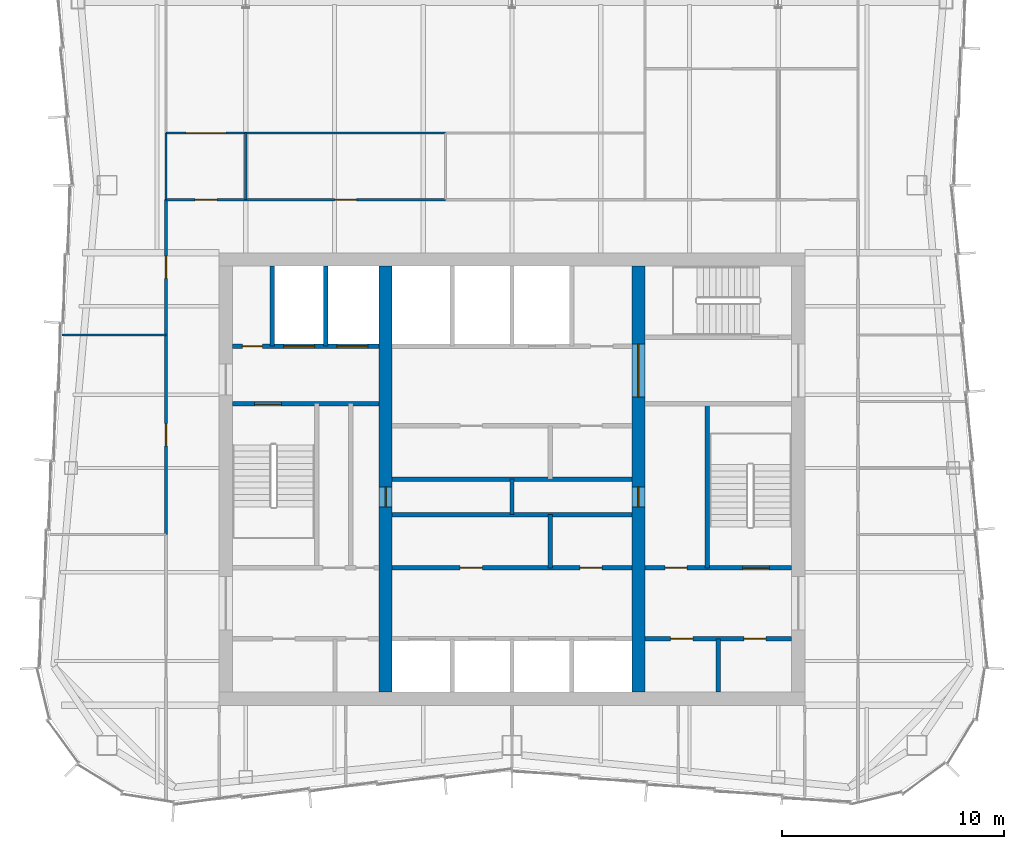
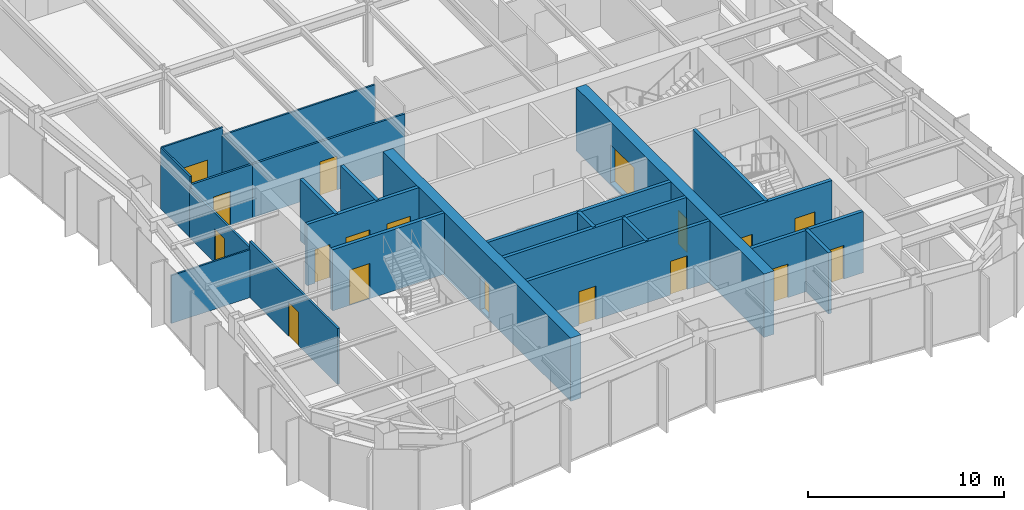
# One storey, part 10 of 13: 24 walls, 18 doors, 18 openings.
"""IFC4 building model written with IfcOpenShell, lengths in metres."""

from ifc_helpers import new_model, si_unit, direction, frame, frame_2d, origin, place, context, subcontext, project, spatial, rectangle, extrude, material, layer, layer_set, type_object, element, fill, save


model = new_model("IFC4")

# Units and contexts
model_context = context("Model", 3, precision=1e-05, world=origin(), true_north=direction((0.0, 1.0)))
body_context = subcontext(model_context, "Body", "Model", "MODEL_VIEW")
ifc_project = project(units=[si_unit("LENGTHUNIT", "METRE"), si_unit("AREAUNIT", "SQUARE_METRE"), si_unit("VOLUMEUNIT", "CUBIC_METRE"), si_unit("PLANEANGLEUNIT", "RADIAN"), si_unit("MASSUNIT", "GRAM", prefix="KILO")], contexts=[model_context])

# Site, building, storey
site_placement = place(None, origin())
site = spatial("IfcSite", under=ifc_project, at=site_placement, CompositionType="ELEMENT")
building_placement = place(site_placement, origin())
building = spatial("IfcBuilding", under=site, at=building_placement, Name="Verdant Reach Tower", CompositionType="ELEMENT")
storey_placement = place(building_placement, frame((0.0, 0.0, 330.0)))
storey = spatial("IfcBuildingStorey", under=building, at=storey_placement, Name="L76", CompositionType="ELEMENT", Elevation=330.0)

# Wall, openings, doors
ifc_material_1 = material(Name="Gypsum board on steel studs", Category="steel")
ifc_layer_1 = layer(ifc_material_1, 0.199951171875)
ifc_layer_set_1 = layer_set([ifc_layer_1], Name="CO-WALL-ROOM")
wall_type_1 = type_object("IfcWallType", Name="CO-WALL-ROOM", PredefinedType="PARTITIONING", material=ifc_layer_set_1)
wall_1_placement = place(storey_placement, frame((6.0, 20.800048828125, 0.0), z_axis=(0.0, 0.0, 1.0), x_axis=(1.0, 0.0, 0.0)))
wall_1 = element("IfcWall", 1, at=wall_1_placement, inside=storey, type_object=wall_type_1, Name="Core partition, L76", PredefinedType="PARTITIONING", context=body_context, shape_type="SweptSolid", body=[
    extrude(rectangle(XDim=6.60009765625, YDim=0.199951171875, at=frame_2d((3.300048828125, 0.0))), origin(), (0.0, 0.0, 1.0), 3.820068359375),
])
opening_1_placement = place(wall_1_placement, frame((1.14990234375, 0.0, 0.0)))
opening_1 = element("IfcOpeningElement", 2, at=opening_1_placement, cuts=wall_1, Name="Opening CD", PredefinedType="OPENING", context=body_context, shape_type="SweptSolid", body=[
    extrude(rectangle(XDim=1.0, YDim=2.10009765625, at=frame_2d((0.5, 1.050048828125))), frame((0.0, 0.10986328125, 0.0), z_axis=(0.0, -1.0, 0.0), x_axis=(1.0, 0.0, 0.0)), (0.0, 0.0, 1.0), 0.219970703125),
])
opening_2_placement = place(wall_1_placement, frame((4.449951171875, 0.0, 0.0)))
opening_2 = element("IfcOpeningElement", 3, at=opening_2_placement, cuts=wall_1, Name="Opening CD", PredefinedType="OPENING", context=body_context, shape_type="SweptSolid", body=[
    extrude(rectangle(XDim=1.0, YDim=2.10009765625, at=frame_2d((0.5, 1.050048828125))), frame((0.0, 0.10986328125, 0.0), z_axis=(0.0, -1.0, 0.0), x_axis=(1.0, 0.0, 0.0)), (0.0, 0.0, 1.0), 0.219970703125),
])
ifc_material_2 = material(Name="Timber", Category="wood")
door_type_1 = type_object("IfcDoorType", Name="CO-DOOR-ROOM", OperationType="NOTDEFINED", PredefinedType="DOOR", material=ifc_material_2)
door_1_placement = place(opening_1_placement, origin())
door_1 = element("IfcDoor", 4, at=door_1_placement, inside=storey, type_object=door_type_1, Name="Core room door, L76", OperationType="SINGLE_SWING_LEFT", OverallHeight=2.10009765625, OverallWidth=1.0, PredefinedType="DOOR", context=body_context, shape_type="SweptSolid", body=[
    extrude(rectangle(XDim=1.0, YDim=2.10009765625, at=frame_2d((0.5, 1.050048828125))), frame((0.0, 0.02490234375, 0.0), z_axis=(0.0, -1.0, 0.0), x_axis=(1.0, 0.0, 0.0)), (0.0, 0.0, 1.0), 0.050048828125),
])
fill(opening_1, door_1)
door_2_placement = place(opening_2_placement, origin())
door_2 = element("IfcDoor", 5, at=door_2_placement, inside=storey, type_object=door_type_1, Name="Core room door, L76", OperationType="SINGLE_SWING_LEFT", OverallHeight=2.10009765625, OverallWidth=1.0, PredefinedType="DOOR", context=body_context, shape_type="SweptSolid", body=[
    extrude(rectangle(XDim=1.0, YDim=2.10009765625, at=frame_2d((0.5, 1.050048828125))), frame((0.0, 0.02490234375, 0.0), z_axis=(0.0, -1.0, 0.0), x_axis=(1.0, 0.0, 0.0)), (0.0, 0.0, 1.0), 0.050048828125),
])
fill(opening_2, door_2)

wall_2_placement = place(storey_placement, frame((-5.39990234375, 24.0, 0.0), z_axis=(0.0, 0.0, 1.0), x_axis=(1.0, 0.0, 0.0)))
wall_2 = element("IfcWall", 6, at=wall_2_placement, inside=storey, type_object=wall_type_1, Name="Core partition, L76", PredefinedType="PARTITIONING", context=body_context, shape_type="SweptSolid", body=[
    extrude(rectangle(XDim=10.7998046875, YDim=0.199951171875, at=frame_2d((5.39990234375, 0.0))), origin(), (0.0, 0.0, 1.0), 3.820068359375),
])
opening_3_placement = place(wall_2_placement, frame((3.06396484375, 0.0, 0.0)))
opening_3 = element("IfcOpeningElement", 7, at=opening_3_placement, cuts=wall_2, Name="Opening CD", PredefinedType="OPENING", context=body_context, shape_type="SweptSolid", body=[
    extrude(rectangle(XDim=1.0, YDim=2.10009765625, at=frame_2d((0.5, 1.050048828125))), frame((0.0, 0.10986328125, 0.0), z_axis=(0.0, -1.0, 0.0), x_axis=(1.0, 0.0, 0.0)), (0.0, 0.0, 1.0), 0.219970703125),
])
opening_4_placement = place(wall_2_placement, frame((8.464111328125, 0.0, 0.0)))
opening_4 = element("IfcOpeningElement", 8, at=opening_4_placement, cuts=wall_2, Name="Opening CD", PredefinedType="OPENING", context=body_context, shape_type="SweptSolid", body=[
    extrude(rectangle(XDim=1.0, YDim=2.10009765625, at=frame_2d((0.5, 1.050048828125))), frame((0.0, 0.10986328125, 0.0), z_axis=(0.0, -1.0, 0.0), x_axis=(1.0, 0.0, 0.0)), (0.0, 0.0, 1.0), 0.219970703125),
])
door_3_placement = place(opening_3_placement, origin())
door_3 = element("IfcDoor", 9, at=door_3_placement, inside=storey, type_object=door_type_1, Name="Core room door, L76", OperationType="SINGLE_SWING_RIGHT", OverallHeight=2.10009765625, OverallWidth=1.0, PredefinedType="DOOR", context=body_context, shape_type="SweptSolid", body=[
    extrude(rectangle(XDim=1.0, YDim=2.10009765625, at=frame_2d((0.5, 1.050048828125))), frame((0.0, 0.02490234375, 0.0), z_axis=(0.0, -1.0, 0.0), x_axis=(1.0, 0.0, 0.0)), (0.0, 0.0, 1.0), 0.050048828125),
])
fill(opening_3, door_3)
door_4_placement = place(opening_4_placement, origin())
door_4 = element("IfcDoor", 10, at=door_4_placement, inside=storey, type_object=door_type_1, Name="Core room door, L76", OperationType="SINGLE_SWING_LEFT", OverallHeight=2.10009765625, OverallWidth=1.0, PredefinedType="DOOR", context=body_context, shape_type="SweptSolid", body=[
    extrude(rectangle(XDim=1.0, YDim=2.10009765625, at=frame_2d((0.5, 1.050048828125))), frame((0.0, 0.02490234375, 0.0), z_axis=(0.0, -1.0, 0.0), x_axis=(1.0, 0.0, 0.0)), (0.0, 0.0, 1.0), 0.050048828125),
])
fill(opening_4, door_4)

# Walls
for number, where, z_axis, x_axis, name in (
    (11, (-5.39990234375, 26.39990234375, 0.0), (0.0, 0.0, 1.0), (1.0, 0.0, 0.0), "Core partition, L76"),
    (12, (-5.39990234375, 28.0, 0.0), (0.0, 0.0, 1.0), (1.0, 0.0, 0.0), "Core partition, L76"),
):
    element("IfcWall", number, at=place(storey_placement, frame(where, z_axis=z_axis, x_axis=x_axis)), inside=storey, type_object=wall_type_1, Name=name, PredefinedType="PARTITIONING", context=body_context, shape_type="SweptSolid", body=[
        extrude(rectangle(XDim=10.7998046875, YDim=0.199951171875, at=frame_2d((5.39990234375, 0.0))), origin(), (0.0, 0.0, 1.0), 3.820068359375),
    ])
wall_3_placement = place(storey_placement, frame((0.0, 26.39990234375, 0.0), z_axis=(0.0, 0.0, 1.0), x_axis=(0.0, 1.0, 0.0)))
element("IfcWall", 13, at=wall_3_placement, inside=storey, type_object=wall_type_1, Name="Core partition, L76", PredefinedType="PARTITIONING", context=body_context, shape_type="SweptSolid", body=[
    extrude(rectangle(XDim=1.60009765625, YDim=0.199951171875, at=frame_2d((0.800048828125, 0.0))), origin(), (0.0, 0.0, 1.0), 3.820068359375),
])
wall_4_placement = place(storey_placement, frame((1.72802734375, 24.0, 0.0), z_axis=(0.0, 0.0, 1.0), x_axis=(0.0, 1.0, 0.0)))
element("IfcWall", 14, at=wall_4_placement, inside=storey, type_object=wall_type_1, Name="Core partition, L76", PredefinedType="PARTITIONING", context=body_context, shape_type="SweptSolid", body=[
    extrude(rectangle(XDim=2.39990234375, YDim=0.199951171875, at=frame_2d((1.199951171875, 0.0))), origin(), (0.0, 0.0, 1.0), 3.820068359375),
])
wall_5_placement = place(storey_placement, frame((9.300048828125, 18.39990234375, 0.0), z_axis=(0.0, 0.0, 1.0), x_axis=(0.0, 1.0, 0.0)))
element("IfcWall", 15, at=wall_5_placement, inside=storey, type_object=wall_type_1, Name="Core partition, L76", PredefinedType="PARTITIONING", context=body_context, shape_type="SweptSolid", body=[
    extrude(rectangle(XDim=2.400146484375, YDim=0.199951171875, at=frame_2d((1.2001953125, 0.0))), origin(), (0.0, 0.0, 1.0), 3.820068359375),
])

# Wall, openings, doors
ifc_material_3 = material(Name="Concrete C40/50", Category="concrete")
ifc_layer_2 = layer(ifc_material_3, 0.199951171875)
ifc_layer_set_2 = layer_set([ifc_layer_2], Name="CO-WALL-SHAFT")
wall_type_2 = type_object("IfcWallType", Name="CO-WALL-SHAFT", PredefinedType="PARTITIONING", material=ifc_layer_set_2)
wall_6_placement = place(storey_placement, frame((-12.60009765625, 34.0, 0.0), z_axis=(0.0, 0.0, 1.0), x_axis=(1.0, 0.0, 0.0)))
wall_6 = element("IfcWall", 16, at=wall_6_placement, inside=storey, type_object=wall_type_2, Name="Lift shaft wall, L76", PredefinedType="PARTITIONING", context=body_context, shape_type="SweptSolid", body=[
    extrude(rectangle(XDim=6.60009765625, YDim=0.199951171875, at=frame_2d((3.300048828125, 0.0))), origin(), (0.0, 0.0, 1.0), 3.820068359375),
])
opening_5_placement = place(wall_6_placement, frame((4.699951171875, 0.0, 0.0)))
opening_5 = element("IfcOpeningElement", 17, at=opening_5_placement, cuts=wall_6, Name="Opening LD-F1", PredefinedType="OPENING", context=body_context, shape_type="SweptSolid", body=[
    extrude(rectangle(XDim=1.39990234375, YDim=2.199951171875, at=frame_2d((0.699951171875, 1.10009765625))), frame((0.0, 0.10986328125, 0.0), z_axis=(0.0, -1.0, 0.0), x_axis=(1.0, 0.0, 0.0)), (0.0, 0.0, 1.0), 0.219970703125),
])
opening_6_placement = place(wall_6_placement, frame((2.300048828125, 0.0, 0.0)))
opening_6 = element("IfcOpeningElement", 18, at=opening_6_placement, cuts=wall_6, Name="Opening LD-F2", PredefinedType="OPENING", context=body_context, shape_type="SweptSolid", body=[
    extrude(rectangle(XDim=1.39990234375, YDim=2.199951171875, at=frame_2d((0.699951171875, 1.10009765625))), frame((0.0, 0.10986328125, 0.0), z_axis=(0.0, -1.0, 0.0), x_axis=(1.0, 0.0, 0.0)), (0.0, 0.0, 1.0), 0.219970703125),
])
opening_7_placement = place(wall_6_placement, frame((0.449951171875, 0.0, 0.0)))
opening_7 = element("IfcOpeningElement", 19, at=opening_7_placement, cuts=wall_6, Name="Opening RD", PredefinedType="OPENING", context=body_context, shape_type="SweptSolid", body=[
    extrude(rectangle(XDim=0.89990234375, YDim=2.10009765625, at=frame_2d((0.449951171875, 1.050048828125))), frame((0.0, 0.10986328125, 0.0), z_axis=(0.0, -1.0, 0.0), x_axis=(1.0, 0.0, 0.0)), (0.0, 0.0, 1.0), 0.219970703125),
])
ifc_material_4 = material(Name="Stainless steel", Category="steel")
door_type_2 = type_object("IfcDoorType", Name="CO-DOOR-LANDING-FF", OperationType="SLIDING_TO_LEFT", PredefinedType="DOOR", material=ifc_material_4)
door_5_placement = place(opening_5_placement, origin())
door_5 = element("IfcDoor", 20, at=door_5_placement, inside=storey, type_object=door_type_2, Name="Landing door F1, L76", OperationType="SLIDING_TO_LEFT", OverallHeight=2.199951171875, OverallWidth=1.39990234375, PredefinedType="DOOR", context=body_context, shape_type="SweptSolid", body=[
    extrude(rectangle(XDim=1.39990234375, YDim=2.199951171875, at=frame_2d((0.699951171875, 1.10009765625))), frame((0.0, 0.02490234375, 0.0), z_axis=(0.0, -1.0, 0.0), x_axis=(1.0, 0.0, 0.0)), (0.0, 0.0, 1.0), 0.050048828125),
])
fill(opening_5, door_5)
door_6_placement = place(opening_6_placement, origin())
door_6 = element("IfcDoor", 21, at=door_6_placement, inside=storey, type_object=door_type_2, Name="Landing door F2, L76", OperationType="SLIDING_TO_LEFT", OverallHeight=2.199951171875, OverallWidth=1.39990234375, PredefinedType="DOOR", context=body_context, shape_type="SweptSolid", body=[
    extrude(rectangle(XDim=1.39990234375, YDim=2.199951171875, at=frame_2d((0.699951171875, 1.10009765625))), frame((0.0, 0.02490234375, 0.0), z_axis=(0.0, -1.0, 0.0), x_axis=(1.0, 0.0, 0.0)), (0.0, 0.0, 1.0), 0.050048828125),
])
fill(opening_6, door_6)
ifc_material_5 = material(Name="Steel", Category="steel")
door_type_3 = type_object("IfcDoorType", Name="CO-DOOR-RISER", OperationType="NOTDEFINED", PredefinedType="DOOR", material=ifc_material_5)
door_7_placement = place(opening_7_placement, origin())
door_7 = element("IfcDoor", 22, at=door_7_placement, inside=storey, type_object=door_type_3, Name="Core room door, L76", OperationType="SINGLE_SWING_RIGHT", OverallHeight=2.10009765625, OverallWidth=0.89990234375, PredefinedType="DOOR", context=body_context, shape_type="SweptSolid", body=[
    extrude(rectangle(XDim=0.89990234375, YDim=2.10009765625, at=frame_2d((0.449951171875, 1.050048828125))), frame((0.0, 0.02490234375, 0.0), z_axis=(0.0, -1.0, 0.0), x_axis=(1.0, 0.0, 0.0)), (0.0, 0.0, 1.0), 0.050048828125),
])
fill(opening_7, door_7)

# Walls
for number, where, z_axis, x_axis, name in (
    (23, (-10.800048828125, 34.0, 0.0), (0.0, 0.0, 1.0), (0.0, 1.0, 0.0), "Lift shaft wall, L76"),
    (24, (-8.39990234375, 34.0, 0.0), (0.0, 0.0, 1.0), (0.0, 1.0, 0.0), "Lift shaft wall, L76"),
):
    element("IfcWall", number, at=place(storey_placement, frame(where, z_axis=z_axis, x_axis=x_axis)), inside=storey, type_object=wall_type_2, Name=name, PredefinedType="PARTITIONING", context=body_context, shape_type="SweptSolid", body=[
        extrude(rectangle(XDim=3.60009765625, YDim=0.199951171875, at=frame_2d((1.800048828125, 0.0))), origin(), (0.0, 0.0, 1.0), 3.820068359375),
    ])

# Wall, openings, doors
ifc_layer_3 = layer(ifc_material_3, 0.199951171875)
ifc_layer_set_3 = layer_set([ifc_layer_3], Name="CO-WALL-STAIR")
wall_type_3 = type_object("IfcWallType", Name="CO-WALL-STAIR", PredefinedType="PARTITIONING", material=ifc_layer_set_3)
wall_7_placement = place(storey_placement, frame((6.0, 24.0, 0.0), z_axis=(0.0, 0.0, 1.0), x_axis=(1.0, 0.0, 0.0)))
wall_7 = element("IfcWall", 25, at=wall_7_placement, inside=storey, type_object=wall_type_3, Name="Stair enclosure wall, L76", PredefinedType="PARTITIONING", context=body_context, shape_type="SweptSolid", body=[
    extrude(rectangle(XDim=6.60009765625, YDim=0.199951171875, at=frame_2d((3.300048828125, 0.0))), origin(), (0.0, 0.0, 1.0), 3.820068359375),
])
opening_8_placement = place(wall_7_placement, frame((0.89990234375, 0.0, 0.0)))
opening_8 = element("IfcOpeningElement", 26, at=opening_8_placement, cuts=wall_7, Name="Opening CD", PredefinedType="OPENING", context=body_context, shape_type="SweptSolid", body=[
    extrude(rectangle(XDim=1.0, YDim=2.10009765625, at=frame_2d((0.5, 1.050048828125))), frame((0.0, 0.10986328125, 0.0), z_axis=(0.0, -1.0, 0.0), x_axis=(1.0, 0.0, 0.0)), (0.0, 0.0, 1.0), 0.219970703125),
])
opening_9_placement = place(wall_7_placement, frame((4.39990234375, 0.0, 0.0)))
opening_9 = element("IfcOpeningElement", 27, at=opening_9_placement, cuts=wall_7, Name="Opening SD", PredefinedType="OPENING", context=body_context, shape_type="SweptSolid", body=[
    extrude(rectangle(XDim=1.199951171875, YDim=2.199951171875, at=frame_2d((0.60009765625, 1.10009765625))), frame((0.0, 0.10986328125, 0.0), z_axis=(0.0, -1.0, 0.0), x_axis=(1.0, 0.0, 0.0)), (0.0, 0.0, 1.0), 0.219970703125),
])
door_8_placement = place(opening_8_placement, origin())
door_8 = element("IfcDoor", 28, at=door_8_placement, inside=storey, type_object=door_type_1, Name="Core room door, L76", OperationType="SINGLE_SWING_RIGHT", OverallHeight=2.10009765625, OverallWidth=1.0, PredefinedType="DOOR", context=body_context, shape_type="SweptSolid", body=[
    extrude(rectangle(XDim=1.0, YDim=2.10009765625, at=frame_2d((0.5, 1.050048828125))), frame((0.0, 0.02490234375, 0.0), z_axis=(0.0, -1.0, 0.0), x_axis=(1.0, 0.0, 0.0)), (0.0, 0.0, 1.0), 0.050048828125),
])
fill(opening_8, door_8)
door_type_4 = type_object("IfcDoorType", Name="CO-DOOR-STAIR", OperationType="NOTDEFINED", PredefinedType="DOOR", material=ifc_material_5)
door_9_placement = place(opening_9_placement, origin())
door_9 = element("IfcDoor", 29, at=door_9_placement, inside=storey, type_object=door_type_4, Name="Stair door, L76", OperationType="SINGLE_SWING_LEFT", OverallHeight=2.199951171875, OverallWidth=1.199951171875, PredefinedType="DOOR", context=body_context, shape_type="SweptSolid", body=[
    extrude(rectangle(XDim=1.199951171875, YDim=2.199951171875, at=frame_2d((0.60009765625, 1.10009765625))), frame((0.0, 0.02490234375, 0.0), z_axis=(0.0, -1.0, 0.0), x_axis=(1.0, 0.0, 0.0)), (0.0, 0.0, 1.0), 0.050048828125),
])
fill(opening_9, door_9)

# Wall, opening, door
wall_8_placement = place(storey_placement, frame((-12.60009765625, 31.39990234375, 0.0), z_axis=(0.0, 0.0, 1.0), x_axis=(1.0, 0.0, 0.0)))
wall_8 = element("IfcWall", 30, at=wall_8_placement, inside=storey, type_object=wall_type_3, Name="Stair enclosure wall, L76", PredefinedType="PARTITIONING", context=body_context, shape_type="SweptSolid", body=[
    extrude(rectangle(XDim=6.60009765625, YDim=0.199951171875, at=frame_2d((3.300048828125, 0.0))), origin(), (0.0, 0.0, 1.0), 3.820068359375),
])
opening_10_placement = place(wall_8_placement, frame((1.0, 0.0, 0.0)))
opening_10 = element("IfcOpeningElement", 31, at=opening_10_placement, cuts=wall_8, Name="Opening SD", PredefinedType="OPENING", context=body_context, shape_type="SweptSolid", body=[
    extrude(rectangle(XDim=1.199951171875, YDim=2.199951171875, at=frame_2d((0.60009765625, 1.10009765625))), frame((0.0, 0.10986328125, 0.0), z_axis=(0.0, -1.0, 0.0), x_axis=(1.0, 0.0, 0.0)), (0.0, 0.0, 1.0), 0.219970703125),
])
door_10_placement = place(opening_10_placement, origin())
door_10 = element("IfcDoor", 32, at=door_10_placement, inside=storey, type_object=door_type_4, Name="Stair door, L76", OperationType="SINGLE_SWING_RIGHT", OverallHeight=2.199951171875, OverallWidth=1.199951171875, PredefinedType="DOOR", context=body_context, shape_type="SweptSolid", body=[
    extrude(rectangle(XDim=1.199951171875, YDim=2.199951171875, at=frame_2d((0.60009765625, 1.10009765625))), frame((0.0, 0.02490234375, 0.0), z_axis=(0.0, -1.0, 0.0), x_axis=(1.0, 0.0, 0.0)), (0.0, 0.0, 1.0), 0.050048828125),
])
fill(opening_10, door_10)

# Walls
wall_9_placement = place(storey_placement, frame((8.800048828125, 24.0, 0.0), z_axis=(0.0, 0.0, 1.0), x_axis=(0.0, 1.0, 0.0)))
element("IfcWall", 33, at=wall_9_placement, inside=storey, type_object=wall_type_3, Name="Stair enclosure wall, L76", PredefinedType="PARTITIONING", context=body_context, shape_type="SweptSolid", body=[
    extrude(rectangle(XDim=7.39990234375, YDim=0.199951171875, at=frame_2d((3.699951171875, 0.0))), origin(), (0.0, 0.0, 1.0), 3.820068359375),
])
ifc_layer_4 = layer(ifc_material_1, 0.10009765625)
ifc_layer_set_4 = layer_set([ifc_layer_4], Name="FL-W1 Partition 100")
wall_type_4 = type_object("IfcWallType", Name="FL-W1 Partition 100", PredefinedType="PARTITIONING", material=ifc_layer_set_4)
wall_10_placement = place(storey_placement, frame((-15.60009765625, 34.5, 0.0), z_axis=(0.0, 0.0, 1.0), x_axis=(-1.0, 0.0, 0.0)))
element("IfcWall", 34, at=wall_10_placement, inside=storey, type_object=wall_type_4, Name="Partition 76.17", PredefinedType="PARTITIONING", context=body_context, shape_type="SweptSolid", body=[
    extrude(rectangle(XDim=4.6953125, YDim=0.10009765625, at=frame_2d((2.34765625, 0.0))), origin(), (0.0, 0.0, 1.0), 2.989990234375),
])
wall_11_placement = place(storey_placement, frame((-15.60009765625, 40.60009765625, 0.0), z_axis=(0.0, 0.0, 1.0), x_axis=(0.0, 1.0, 0.0)))
element("IfcWall", 35, at=wall_11_placement, inside=storey, type_object=wall_type_4, Name="Partition 76.18", PredefinedType="PARTITIONING", context=body_context, shape_type="SweptSolid", body=[
    extrude(rectangle(XDim=3.0, YDim=0.10009765625, at=frame_2d((1.5, 0.0))), origin(), (0.0, 0.0, 1.0), 3.820068359375),
])
wall_12_placement = place(storey_placement, frame((-12.0, 40.60009765625, 0.0), z_axis=(0.0, 0.0, 1.0), x_axis=(0.0, 1.0, 0.0)))
element("IfcWall", 36, at=wall_12_placement, inside=storey, type_object=wall_type_4, Name="Partition 76.31", PredefinedType="PARTITIONING", context=body_context, shape_type="SweptSolid", body=[
    extrude(rectangle(XDim=3.0, YDim=0.10009765625, at=frame_2d((1.5, 0.0))), origin(), (0.0, 0.0, 1.0), 3.340087890625),
])

# Wall, opening, door
wall_13_placement = place(storey_placement, frame((-15.60009765625, 43.60009765625, 0.0), z_axis=(0.0, 0.0, 1.0), x_axis=(1.0, 0.0, 0.0)))
wall_13 = element("IfcWall", 37, at=wall_13_placement, inside=storey, type_object=wall_type_4, Name="Partition 76.32", PredefinedType="PARTITIONING", context=body_context, shape_type="SweptSolid", body=[
    extrude(rectangle(XDim=3.60400390625, YDim=0.10009765625, at=frame_2d((1.802001953125, 0.0))), origin(), (0.0, 0.0, 1.0), 3.820068359375),
])
opening_11_placement = place(wall_13_placement, frame((0.902099609375, 0.0, 0.0)))
opening_11 = element("IfcOpeningElement", 38, at=opening_11_placement, cuts=wall_13, Name="Opening D5", PredefinedType="OPENING", context=body_context, shape_type="SweptSolid", body=[
    extrude(rectangle(XDim=1.800048828125, YDim=2.10009765625, at=frame_2d((0.89990234375, 1.050048828125))), frame((0.0, 0.06005859375, 0.0), z_axis=(0.0, -1.0, 0.0), x_axis=(1.0, 0.0, 0.0)), (0.0, 0.0, 1.0), 0.1201171875),
])
ifc_material_6 = material(Name="Painted timber door leaves", Category="wood")
door_type_5 = type_object("IfcDoorType", Name="FL-D5 Double door 1800x2100", OperationType="DOUBLE_DOOR_SINGLE_SWING", PredefinedType="DOOR", material=ifc_material_6)
door_11_placement = place(opening_11_placement, origin())
door_11 = element("IfcDoor", 39, at=door_11_placement, inside=storey, type_object=door_type_5, Name="Door 76-018", OperationType="DOUBLE_DOOR_SINGLE_SWING", OverallHeight=2.10009765625, OverallWidth=1.800048828125, PredefinedType="DOOR", context=body_context, shape_type="SweptSolid", body=[
    extrude(rectangle(XDim=1.800048828125, YDim=2.10009765625, at=frame_2d((0.89990234375, 1.050048828125))), frame((0.0, 0.02490234375, 0.0), z_axis=(0.0, -1.0, 0.0), x_axis=(1.0, 0.0, 0.0)), (0.0, 0.0, 1.0), 0.050048828125),
])
fill(opening_11, door_11)

# Wall
wall_14_placement = place(storey_placement, frame((-2.99609375, 43.60009765625, 0.0), z_axis=(0.0, 0.0, 1.0), x_axis=(-1.0, 0.0, 0.0)))
element("IfcWall", 40, at=wall_14_placement, inside=storey, type_object=wall_type_4, Name="Partition 76.34", PredefinedType="PARTITIONING", context=body_context, shape_type="SweptSolid", body=[
    extrude(rectangle(XDim=9.0078125, YDim=0.10009765625, at=frame_2d((4.50390625, 0.0))), origin(), (0.0, 0.0, 1.0), 3.340087890625),
])

# Wall, opening, door
ifc_material_7 = material(Name="Gypsum board on steel studs, fire rated", Category="steel")
ifc_layer_5 = layer(ifc_material_7, 0.125)
ifc_layer_set_5 = layer_set([ifc_layer_5], Name="FL-W2 Corridor wall 125")
wall_type_5 = type_object("IfcWallType", Name="FL-W2 Corridor wall 125", PredefinedType="PARTITIONING", material=ifc_layer_set_5)
wall_15_placement = place(storey_placement, frame((-15.60009765625, 25.5, 0.0), z_axis=(0.0, 0.0, 1.0), x_axis=(0.0, 1.0, 0.0)))
wall_15 = element("IfcWall", 41, at=wall_15_placement, inside=storey, type_object=wall_type_5, Name="Partition 76.02", PredefinedType="PARTITIONING", context=body_context, shape_type="SweptSolid", body=[
    extrude(rectangle(XDim=9.0, YDim=0.125, at=frame_2d((4.5, 0.0))), origin(), (0.0, 0.0, 1.0), 3.489990234375),
])
opening_12_placement = place(wall_15_placement, frame((4.0, 0.0, 0.0)))
opening_12 = element("IfcOpeningElement", 42, at=opening_12_placement, cuts=wall_15, Name="Opening D2", PredefinedType="OPENING", context=body_context, shape_type="SweptSolid", body=[
    extrude(rectangle(XDim=1.0, YDim=2.10009765625, at=frame_2d((0.5, 1.050048828125))), frame((0.0, 0.072509765625, 0.0), z_axis=(0.0, -1.0, 0.0), x_axis=(1.0, 0.0, 0.0)), (0.0, 0.0, 1.0), 0.14501953125),
])
ifc_material_8 = material(Name="Timber door leaf, fire rated", Category="wood")
door_type_6 = type_object("IfcDoorType", Name="FL-D2 Entrance door 1000x2100 FD30", OperationType="NOTDEFINED", PredefinedType="DOOR", material=ifc_material_8)
door_12_placement = place(opening_12_placement, origin())
door_12 = element("IfcDoor", 43, at=door_12_placement, inside=storey, type_object=door_type_6, Name="Door 76-002", OperationType="SINGLE_SWING_RIGHT", OverallHeight=2.10009765625, OverallWidth=1.0, PredefinedType="DOOR", context=body_context, shape_type="SweptSolid", body=[
    extrude(rectangle(XDim=1.0, YDim=2.10009765625, at=frame_2d((0.5, 1.050048828125))), frame((0.0, 0.02490234375, 0.0), z_axis=(0.0, -1.0, 0.0), x_axis=(1.0, 0.0, 0.0)), (0.0, 0.0, 1.0), 0.050048828125),
])
fill(opening_12, door_12)

wall_16_placement = place(storey_placement, frame((-15.60009765625, 34.5, 0.0), z_axis=(0.0, 0.0, 1.0), x_axis=(0.0, 1.0, 0.0)))
wall_16 = element("IfcWall", 44, at=wall_16_placement, inside=storey, type_object=wall_type_5, Name="Partition 76.03", PredefinedType="PARTITIONING", context=body_context, shape_type="SweptSolid", body=[
    extrude(rectangle(XDim=6.10400390625, YDim=0.125, at=frame_2d((3.052001953125, 0.0))), origin(), (0.0, 0.0, 1.0), 3.090087890625),
])
opening_13_placement = place(wall_16_placement, frame((2.552001953125, 0.0, 0.0)))
opening_13 = element("IfcOpeningElement", 45, at=opening_13_placement, cuts=wall_16, Name="Opening D2", PredefinedType="OPENING", context=body_context, shape_type="SweptSolid", body=[
    extrude(rectangle(XDim=1.0, YDim=2.10009765625, at=frame_2d((0.5, 1.050048828125))), frame((0.0, 0.072509765625, 0.0), z_axis=(0.0, -1.0, 0.0), x_axis=(1.0, 0.0, 0.0)), (0.0, 0.0, 1.0), 0.14501953125),
])
door_13_placement = place(opening_13_placement, origin())
door_13 = element("IfcDoor", 46, at=door_13_placement, inside=storey, type_object=door_type_6, Name="Door 76-003", OperationType="SINGLE_SWING_LEFT", OverallHeight=2.10009765625, OverallWidth=1.0, PredefinedType="DOOR", context=body_context, shape_type="SweptSolid", body=[
    extrude(rectangle(XDim=1.0, YDim=2.10009765625, at=frame_2d((0.5, 1.050048828125))), frame((0.0, 0.02490234375, 0.0), z_axis=(0.0, -1.0, 0.0), x_axis=(1.0, 0.0, 0.0)), (0.0, 0.0, 1.0), 0.050048828125),
])
fill(opening_13, door_13)

wall_17_placement = place(storey_placement, frame((-15.60009765625, 40.60009765625, 0.0), z_axis=(0.0, 0.0, 1.0), x_axis=(1.0, 0.0, 0.0)))
wall_17 = element("IfcWall", 47, at=wall_17_placement, inside=storey, type_object=wall_type_5, Name="Partition 76.11", PredefinedType="PARTITIONING", context=body_context, shape_type="SweptSolid", body=[
    extrude(rectangle(XDim=3.60009765625, YDim=0.125, at=frame_2d((1.800048828125, 0.0))), origin(), (0.0, 0.0, 1.0), 3.340087890625),
])
opening_14_placement = place(wall_17_placement, frame((1.300048828125, 0.0, 0.0)))
opening_14 = element("IfcOpeningElement", 48, at=opening_14_placement, cuts=wall_17, Name="Opening D2", PredefinedType="OPENING", context=body_context, shape_type="SweptSolid", body=[
    extrude(rectangle(XDim=1.0, YDim=2.10009765625, at=frame_2d((0.5, 1.050048828125))), frame((0.0, 0.072509765625, 0.0), z_axis=(0.0, -1.0, 0.0), x_axis=(1.0, 0.0, 0.0)), (0.0, 0.0, 1.0), 0.14501953125),
])
door_14_placement = place(opening_14_placement, origin())
door_14 = element("IfcDoor", 49, at=door_14_placement, inside=storey, type_object=door_type_6, Name="Door 76-011", OperationType="SINGLE_SWING_LEFT", OverallHeight=2.10009765625, OverallWidth=1.0, PredefinedType="DOOR", context=body_context, shape_type="SweptSolid", body=[
    extrude(rectangle(XDim=1.0, YDim=2.10009765625, at=frame_2d((0.5, 1.050048828125))), frame((0.0, 0.02490234375, 0.0), z_axis=(0.0, -1.0, 0.0), x_axis=(1.0, 0.0, 0.0)), (0.0, 0.0, 1.0), 0.050048828125),
])
fill(opening_14, door_14)

wall_18_placement = place(storey_placement, frame((-12.0, 40.60009765625, 0.0), z_axis=(0.0, 0.0, 1.0), x_axis=(1.0, 0.0, 0.0)))
wall_18 = element("IfcWall", 50, at=wall_18_placement, inside=storey, type_object=wall_type_5, Name="Partition 76.12", PredefinedType="PARTITIONING", context=body_context, shape_type="SweptSolid", body=[
    extrude(rectangle(XDim=9.0, YDim=0.125, at=frame_2d((4.5, 0.0))), origin(), (0.0, 0.0, 1.0), 3.340087890625),
])
opening_15_placement = place(wall_18_placement, frame((4.0, 0.0, 0.0)))
opening_15 = element("IfcOpeningElement", 51, at=opening_15_placement, cuts=wall_18, Name="Opening D2", PredefinedType="OPENING", context=body_context, shape_type="SweptSolid", body=[
    extrude(rectangle(XDim=1.0, YDim=2.10009765625, at=frame_2d((0.5, 1.050048828125))), frame((0.0, 0.072509765625, 0.0), z_axis=(0.0, -1.0, 0.0), x_axis=(1.0, 0.0, 0.0)), (0.0, 0.0, 1.0), 0.14501953125),
])
door_15_placement = place(opening_15_placement, origin())
door_15 = element("IfcDoor", 52, at=door_15_placement, inside=storey, type_object=door_type_6, Name="Door 76-012", OperationType="SINGLE_SWING_RIGHT", OverallHeight=2.10009765625, OverallWidth=1.0, PredefinedType="DOOR", context=body_context, shape_type="SweptSolid", body=[
    extrude(rectangle(XDim=1.0, YDim=2.10009765625, at=frame_2d((0.5, 1.050048828125))), frame((0.0, 0.02490234375, 0.0), z_axis=(0.0, -1.0, 0.0), x_axis=(1.0, 0.0, 0.0)), (0.0, 0.0, 1.0), 0.050048828125),
])
fill(opening_15, door_15)

ifc_material_9 = material(Name="Concrete C70/85", Category="concrete")
ifc_layer_6 = layer(ifc_material_9, 0.60009765625)
ifc_layer_set_6 = layer_set([ifc_layer_6], Name="ST-CORE-WALL-600")
wall_type_6 = type_object("IfcWallType", Name="ST-CORE-WALL-600", PredefinedType="SHEAR", material=ifc_layer_set_6)
wall_19_placement = place(storey_placement, frame((-5.699951171875, 18.39990234375, -0.1298828125), z_axis=(0.0, 0.0, 1.0), x_axis=(0.0, 1.0, 0.0)))
wall_19 = element("IfcWall", 53, at=wall_19_placement, inside=storey, type_object=wall_type_6, Name="Core wall XW, L76", PredefinedType="SHEAR", context=body_context, shape_type="SweptSolid", body=[
    extrude(rectangle(XDim=19.2001953125, YDim=0.60009765625, at=frame_2d((9.60009765625, 0.0))), origin(), (0.0, 0.0, 1.0), 3.949951171875),
])
opening_16_placement = place(wall_19_placement, frame((8.35009765625, 0.0, 0.1298828125)))
opening_16 = element("IfcOpeningElement", 54, at=opening_16_placement, cuts=wall_19, Name="Opening RD", PredefinedType="OPENING", context=body_context, shape_type="SweptSolid", body=[
    extrude(rectangle(XDim=0.89990234375, YDim=2.10009765625, at=frame_2d((0.449951171875, 1.050048828125))), frame((0.0, 0.31005859375, 0.0), z_axis=(0.0, -1.0, 0.0), x_axis=(1.0, 0.0, 0.0)), (0.0, 0.0, 1.0), 0.6201171875),
])
door_16_placement = place(opening_16_placement, origin())
door_16 = element("IfcDoor", 55, at=door_16_placement, inside=storey, type_object=door_type_3, Name="Riser door, L76", OperationType="SINGLE_SWING_LEFT", OverallHeight=2.10009765625, OverallWidth=0.89990234375, PredefinedType="DOOR", context=body_context, shape_type="SweptSolid", body=[
    extrude(rectangle(XDim=0.89990234375, YDim=2.10009765625, at=frame_2d((0.449951171875, 1.050048828125))), frame((0.0, 0.02490234375, 0.0), z_axis=(0.0, -1.0, 0.0), x_axis=(1.0, 0.0, 0.0)), (0.0, 0.0, 1.0), 0.050048828125),
])
fill(opening_16, door_16)

# Wall, openings, doors
wall_20_placement = place(storey_placement, frame((5.699951171875, 18.39990234375, -0.1298828125), z_axis=(0.0, 0.0, 1.0), x_axis=(0.0, 1.0, 0.0)))
wall_20 = element("IfcWall", 56, at=wall_20_placement, inside=storey, type_object=wall_type_6, Name="Core wall XE, L76", PredefinedType="SHEAR", context=body_context, shape_type="SweptSolid", body=[
    extrude(rectangle(XDim=19.2001953125, YDim=0.60009765625, at=frame_2d((9.60009765625, 0.0))), origin(), (0.0, 0.0, 1.0), 3.949951171875),
])
opening_17_placement = place(wall_20_placement, frame((8.35009765625, 0.0, 0.1298828125)))
opening_17 = element("IfcOpeningElement", 57, at=opening_17_placement, cuts=wall_20, Name="Opening RD", PredefinedType="OPENING", context=body_context, shape_type="SweptSolid", body=[
    extrude(rectangle(XDim=0.89990234375, YDim=2.10009765625, at=frame_2d((0.449951171875, 1.050048828125))), frame((0.0, 0.31005859375, 0.0), z_axis=(0.0, -1.0, 0.0), x_axis=(1.0, 0.0, 0.0)), (0.0, 0.0, 1.0), 0.6201171875),
])
opening_18_placement = place(wall_20_placement, frame((13.300048828125, 0.0, 0.1298828125)))
opening_18 = element("IfcOpeningElement", 58, at=opening_18_placement, cuts=wall_20, Name="Opening LB", PredefinedType="OPENING", context=body_context, shape_type="SweptSolid", body=[
    extrude(rectangle(XDim=2.39990234375, YDim=2.39990234375, at=frame_2d((1.199951171875, 1.199951171875))), frame((0.0, 0.31005859375, 0.0), z_axis=(0.0, -1.0, 0.0), x_axis=(1.0, 0.0, 0.0)), (0.0, 0.0, 1.0), 0.6201171875),
])
ifc_material_10 = material(Name="Glass and steel", Category="steel")
door_type_7 = type_object("IfcDoorType", Name="CO-DOOR-LOBBY", OperationType="DOUBLE_DOOR_SINGLE_SWING", PredefinedType="DOOR", material=ifc_material_10)
door_17_placement = place(opening_18_placement, origin())
door_17 = element("IfcDoor", 59, at=door_17_placement, inside=storey, type_object=door_type_7, Name="Core entrance door, L76", OperationType="DOUBLE_DOOR_SINGLE_SWING", OverallHeight=2.39990234375, OverallWidth=2.39990234375, PredefinedType="DOOR", context=body_context, shape_type="SweptSolid", body=[
    extrude(rectangle(XDim=2.39990234375, YDim=2.39990234375, at=frame_2d((1.199951171875, 1.199951171875))), frame((0.0, 0.02490234375, 0.0), z_axis=(0.0, -1.0, 0.0), x_axis=(1.0, 0.0, 0.0)), (0.0, 0.0, 1.0), 0.050048828125),
])
fill(opening_18, door_17)
door_18_placement = place(opening_17_placement, origin())
door_18 = element("IfcDoor", 60, at=door_18_placement, inside=storey, type_object=door_type_3, Name="Riser door, L76", OperationType="SINGLE_SWING_RIGHT", OverallHeight=2.10009765625, OverallWidth=0.89990234375, PredefinedType="DOOR", context=body_context, shape_type="SweptSolid", body=[
    extrude(rectangle(XDim=0.89990234375, YDim=2.10009765625, at=frame_2d((0.449951171875, 1.050048828125))), frame((0.0, 0.02490234375, 0.0), z_axis=(0.0, -1.0, 0.0), x_axis=(1.0, 0.0, 0.0)), (0.0, 0.0, 1.0), 0.050048828125),
])
fill(opening_17, door_18)

save(model, "model.ifc")
